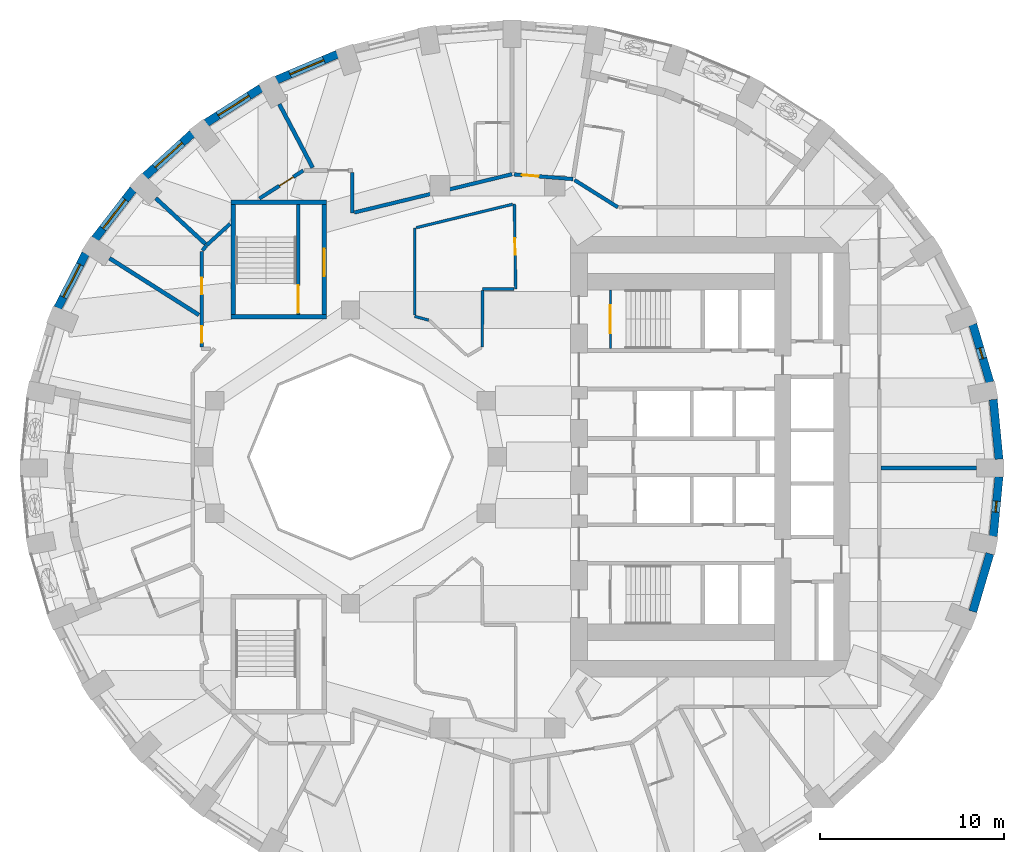
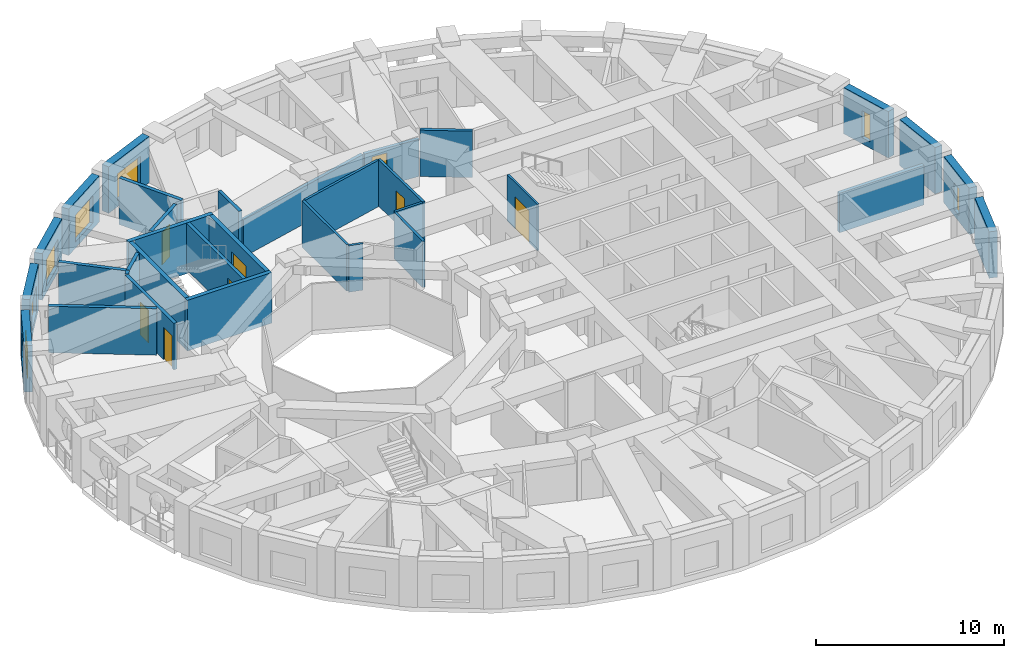
# One storey, part 7 of 12: 33 walls, 8 doors, 7 windows, 15 openings.
"""IFC4 building model written with IfcOpenShell, lengths in metres."""

from ifc_helpers import new_model, si_unit, direction, frame, frame_2d, origin, place, context, subcontext, project, spatial, rectangle, extrude, material, layer, layer_set, type_object, element, fill, save


model = new_model("IFC4")

# Units and contexts
model_context = context("Model", 3, precision=1e-05, world=origin(), true_north=direction((0.0, 1.0)))
body_context = subcontext(model_context, "Body", "Model", "MODEL_VIEW")
ifc_project = project(units=[si_unit("LENGTHUNIT", "METRE"), si_unit("AREAUNIT", "SQUARE_METRE"), si_unit("VOLUMEUNIT", "CUBIC_METRE"), si_unit("PLANEANGLEUNIT", "RADIAN"), si_unit("MASSUNIT", "GRAM", prefix="KILO")], contexts=[model_context])

# Site, building, storey
site_placement = place(None, origin())
site = spatial("IfcSite", under=ifc_project, at=site_placement, CompositionType="ELEMENT")
building_placement = place(site_placement, origin())
building = spatial("IfcBuilding", under=site, at=building_placement, Name="Taillehof Tower", CompositionType="ELEMENT")
storey_placement = place(building_placement, frame((0.0, 0.0, 105.39990234375)))
storey = spatial("IfcBuildingStorey", under=building, at=storey_placement, Name="L29", CompositionType="ELEMENT", Elevation=105.39990234375)

# Wall
ifc_material_1 = material(Name="Brick masonry", Category="masonry")
ifc_layer_1 = layer(ifc_material_1, 0.449951171875)
ifc_layer_set_1 = layer_set([ifc_layer_1], Name="Brick infill wall 450")
wall_type_1 = type_object("IfcWallType", Name="Brick infill wall 450", PredefinedType="SOLIDWALL", material=ifc_layer_set_1)
wall_1_placement = place(storey_placement, frame((27.32763671875, -0.119873046875, 0.0), z_axis=(0.0, 0.0, 1.0), x_axis=(-0.09589355735, 0.995391594127, 0.0)))
element("IfcWall", 1, at=wall_1_placement, inside=storey, type_object=wall_type_1, Name="Brick wall L29 bay 1", PredefinedType="SOLIDWALL", context=body_context, shape_type="SweptSolid", body=[
    extrude(rectangle(XDim=3.261474609375, YDim=0.449951171875, at=frame_2d((1.630859375, 0.0))), origin(), (0.0, 0.0, 1.0), 3.02001953125),
])

# Wall, opening, window
wall_2_placement = place(storey_placement, frame((26.83203125, 4.069091796875, 0.0), z_axis=(0.0, 0.0, 1.0), x_axis=(-0.283002902729, 0.959119052593, 0.0)))
wall_2 = element("IfcWall", 2, at=wall_2_placement, inside=storey, type_object=wall_type_1, Name="Brick wall L29 bay 2", PredefinedType="SOLIDWALL", context=body_context, shape_type="SweptSolid", body=[
    extrude(rectangle(XDim=3.285888671875, YDim=0.449951171875, at=frame_2d((1.64306640625, 0.0))), origin(), (0.0, 0.0, 1.0), 3.02001953125),
])
opening_1_placement = place(wall_2_placement, frame((1.343017578125, 0.0, 0.39990234375)))
opening_1 = element("IfcOpeningElement", 3, at=opening_1_placement, cuts=wall_2, Name="Opening W6", PredefinedType="OPENING", context=body_context, shape_type="SweptSolid", body=[
    extrude(rectangle(XDim=0.60009765625, YDim=1.75, at=frame_2d((0.300048828125, 0.875))), frame((0.0, 0.23486328125, 0.0), z_axis=(0.0, -1.0, 0.0), x_axis=(1.0, 0.0, 0.0)), (0.0, 0.0, 1.0), 0.469970703125),
])
ifc_material_2 = material(Name="Aluminium window frame with clear double glazing", Category="aluminium")
window_type_1 = type_object("IfcWindowType", Name="Slot window 600x1750", PartitioningType="SINGLE_PANEL", PredefinedType="WINDOW", material=ifc_material_2)
window_1_placement = place(opening_1_placement, origin())
window_1 = element("IfcWindow", 4, at=window_1_placement, inside=storey, type_object=window_type_1, Name="W6", OverallHeight=1.75, OverallWidth=0.60009765625, PartitioningType="SINGLE_PANEL", PredefinedType="WINDOW", context=body_context, shape_type="SweptSolid", body=[
    extrude(rectangle(XDim=0.60009765625, YDim=1.75, at=frame_2d((0.300048828125, 0.875))), frame((0.0, 0.034912109375, 0.0), z_axis=(0.0, -1.0, 0.0), x_axis=(1.0, 0.0, 0.0)), (0.0, 0.0, 1.0), 0.06005859375),
])
fill(opening_1, window_1)

wall_3_placement = place(storey_placement, frame((-8.718017578125, 21.93359375, 0.0), z_axis=(0.0, 0.0, 1.0), x_axis=(-0.920879975612, -0.389846213932, 0.0)))
wall_3 = element("IfcWall", 5, at=wall_3_placement, inside=storey, type_object=wall_type_1, Name="Brick wall L29 bay 12", PredefinedType="SOLIDWALL", context=body_context, shape_type="SweptSolid", body=[
    extrude(rectangle(XDim=3.591552734375, YDim=0.449951171875, at=frame_2d((1.7958984375, 0.0))), origin(), (0.0, 0.0, 1.0), 3.02001953125),
])
opening_2_placement = place(wall_3_placement, frame((0.795654296875, 0.0, 0.39990234375)))
opening_2 = element("IfcOpeningElement", 6, at=opening_2_placement, cuts=wall_3, Name="Opening W2", PredefinedType="OPENING", context=body_context, shape_type="SweptSolid", body=[
    extrude(rectangle(XDim=2.0, YDim=1.75, at=frame_2d((1.0, 0.875))), frame((0.0, 0.23486328125, 0.0), z_axis=(0.0, -1.0, 0.0), x_axis=(1.0, 0.0, 0.0)), (0.0, 0.0, 1.0), 0.469970703125),
])
ifc_material_3 = material(Name="Aluminium window frame with clear double glazing", Category="aluminium")
window_type_2 = type_object("IfcWindowType", Name="Deep-set window 2000x1750", PartitioningType="SINGLE_PANEL", PredefinedType="WINDOW", material=ifc_material_3)
window_2_placement = place(opening_2_placement, origin())
window_2 = element("IfcWindow", 7, at=window_2_placement, inside=storey, type_object=window_type_2, Name="W2", OverallHeight=1.75, OverallWidth=2.0, PartitioningType="SINGLE_PANEL", PredefinedType="WINDOW", context=body_context, shape_type="SweptSolid", body=[
    extrude(rectangle(XDim=2.0, YDim=1.75, at=frame_2d((1.0, 0.875))), frame((0.0, 0.034912109375, 0.0), z_axis=(0.0, -1.0, 0.0), x_axis=(1.0, 0.0, 0.0)), (0.0, 0.0, 1.0), 0.06005859375),
])
fill(opening_2, window_2)

wall_4_placement = place(storey_placement, frame((-12.87548828125, 20.087158203125, 0.0), z_axis=(0.0, 0.0, 1.0), x_axis=(-0.843860651879, -0.536562391722, 0.0)))
wall_4 = element("IfcWall", 8, at=wall_4_placement, inside=storey, type_object=wall_type_1, Name="Brick wall L29 bay 13", PredefinedType="SOLIDWALL", context=body_context, shape_type="SweptSolid", body=[
    extrude(rectangle(XDim=3.5322265625, YDim=0.449951171875, at=frame_2d((1.76611328125, 0.0))), origin(), (0.0, 0.0, 1.0), 3.02001953125),
])
opening_3_placement = place(wall_4_placement, frame((0.76611328125, 0.0, 0.39990234375)))
opening_3 = element("IfcOpeningElement", 9, at=opening_3_placement, cuts=wall_4, Name="Opening W2", PredefinedType="OPENING", context=body_context, shape_type="SweptSolid", body=[
    extrude(rectangle(XDim=2.0, YDim=1.75, at=frame_2d((1.0, 0.875))), frame((0.0, 0.23486328125, 0.0), z_axis=(0.0, -1.0, 0.0), x_axis=(1.0, 0.0, 0.0)), (0.0, 0.0, 1.0), 0.469970703125),
])
window_3_placement = place(opening_3_placement, origin())
window_3 = element("IfcWindow", 10, at=window_3_placement, inside=storey, type_object=window_type_2, Name="W2", OverallHeight=1.75, OverallWidth=2.0, PartitioningType="SINGLE_PANEL", PredefinedType="WINDOW", context=body_context, shape_type="SweptSolid", body=[
    extrude(rectangle(XDim=2.0, YDim=1.75, at=frame_2d((1.0, 0.875))), frame((0.0, 0.034912109375, 0.0), z_axis=(0.0, -1.0, 0.0), x_axis=(1.0, 0.0, 0.0)), (0.0, 0.0, 1.0), 0.06005859375),
])
fill(opening_3, window_3)

wall_5_placement = place(storey_placement, frame((-16.61962890625, 17.609619140625, 0.0), z_axis=(0.0, 0.0, 1.0), x_axis=(-0.74032902847, -0.672244694739, 0.0)))
wall_5 = element("IfcWall", 11, at=wall_5_placement, inside=storey, type_object=wall_type_1, Name="Brick wall L29 bay 14", PredefinedType="SOLIDWALL", context=body_context, shape_type="SweptSolid", body=[
    extrude(rectangle(XDim=3.4638671875, YDim=0.449951171875, at=frame_2d((1.73193359375, 0.0))), origin(), (0.0, 0.0, 1.0), 3.02001953125),
])
opening_4_placement = place(wall_5_placement, frame((0.73193359375, 0.0, 0.39990234375)))
opening_4 = element("IfcOpeningElement", 12, at=opening_4_placement, cuts=wall_5, Name="Opening W2", PredefinedType="OPENING", context=body_context, shape_type="SweptSolid", body=[
    extrude(rectangle(XDim=2.0, YDim=1.75, at=frame_2d((1.0, 0.875))), frame((0.0, 0.23486328125, 0.0), z_axis=(0.0, -1.0, 0.0), x_axis=(1.0, 0.0, 0.0)), (0.0, 0.0, 1.0), 0.469970703125),
])
window_4_placement = place(opening_4_placement, origin())
window_4 = element("IfcWindow", 13, at=window_4_placement, inside=storey, type_object=window_type_2, Name="W2", OverallHeight=1.75, OverallWidth=2.0, PartitioningType="SINGLE_PANEL", PredefinedType="WINDOW", context=body_context, shape_type="SweptSolid", body=[
    extrude(rectangle(XDim=2.0, YDim=1.75, at=frame_2d((1.0, 0.875))), frame((0.0, 0.034912109375, 0.0), z_axis=(0.0, -1.0, 0.0), x_axis=(1.0, 0.0, 0.0)), (0.0, 0.0, 1.0), 0.06005859375),
])
fill(opening_4, window_4)

wall_6_placement = place(storey_placement, frame((-19.835205078125, 14.575439453125, 0.0), z_axis=(0.0, 0.0, 1.0), x_axis=(-0.610693945156, -0.791866721961, 0.0)))
wall_6 = element("IfcWall", 14, at=wall_6_placement, inside=storey, type_object=wall_type_1, Name="Brick wall L29 bay 15", PredefinedType="SOLIDWALL", context=body_context, shape_type="SweptSolid", body=[
    extrude(rectangle(XDim=3.39453125, YDim=0.449951171875, at=frame_2d((1.697265625, 0.0))), origin(), (0.0, 0.0, 1.0), 3.02001953125),
])
opening_5_placement = place(wall_6_placement, frame((0.697265625, 0.0, 0.39990234375)))
opening_5 = element("IfcOpeningElement", 15, at=opening_5_placement, cuts=wall_6, Name="Opening W2", PredefinedType="OPENING", context=body_context, shape_type="SweptSolid", body=[
    extrude(rectangle(XDim=2.0, YDim=1.75, at=frame_2d((1.0, 0.875))), frame((0.0, 0.23486328125, 0.0), z_axis=(0.0, -1.0, 0.0), x_axis=(1.0, 0.0, 0.0)), (0.0, 0.0, 1.0), 0.469970703125),
])
window_5_placement = place(opening_5_placement, origin())
window_5 = element("IfcWindow", 16, at=window_5_placement, inside=storey, type_object=window_type_2, Name="W2", OverallHeight=1.75, OverallWidth=2.0, PartitioningType="SINGLE_PANEL", PredefinedType="WINDOW", context=body_context, shape_type="SweptSolid", body=[
    extrude(rectangle(XDim=2.0, YDim=1.75, at=frame_2d((1.0, 0.875))), frame((0.0, 0.034912109375, 0.0), z_axis=(0.0, -1.0, 0.0), x_axis=(1.0, 0.0, 0.0)), (0.0, 0.0, 1.0), 0.06005859375),
])
fill(opening_5, window_5)

wall_7_placement = place(storey_placement, frame((-22.4228515625, 11.076904296875, 0.0), z_axis=(0.0, 0.0, 1.0), x_axis=(-0.456828186229, -0.889554949549, 0.0)))
wall_7 = element("IfcWall", 17, at=wall_7_placement, inside=storey, type_object=wall_type_1, Name="Brick wall L29 bay 16", PredefinedType="SOLIDWALL", context=body_context, shape_type="SweptSolid", body=[
    extrude(rectangle(XDim=3.332763671875, YDim=0.449951171875, at=frame_2d((1.66650390625, 0.0))), origin(), (0.0, 0.0, 1.0), 3.02001953125),
])
opening_6_placement = place(wall_7_placement, frame((0.666259765625, 0.0, 0.39990234375)))
opening_6 = element("IfcOpeningElement", 18, at=opening_6_placement, cuts=wall_7, Name="Opening W2", PredefinedType="OPENING", context=body_context, shape_type="SweptSolid", body=[
    extrude(rectangle(XDim=2.0, YDim=1.75, at=frame_2d((1.0, 0.875))), frame((0.0, 0.23486328125, 0.0), z_axis=(0.0, -1.0, 0.0), x_axis=(1.0, 0.0, 0.0)), (0.0, 0.0, 1.0), 0.469970703125),
])
window_6_placement = place(opening_6_placement, origin())
window_6 = element("IfcWindow", 19, at=window_6_placement, inside=storey, type_object=window_type_2, Name="W2", OverallHeight=1.75, OverallWidth=2.0, PartitioningType="SINGLE_PANEL", PredefinedType="WINDOW", context=body_context, shape_type="SweptSolid", body=[
    extrude(rectangle(XDim=2.0, YDim=1.75, at=frame_2d((1.0, 0.875))), frame((0.0, 0.034912109375, 0.0), z_axis=(0.0, -1.0, 0.0), x_axis=(1.0, 0.0, 0.0)), (0.0, 0.0, 1.0), 0.06005859375),
])
fill(opening_6, window_6)

# Wall
wall_8_placement = place(storey_placement, frame((25.902099609375, -8.4208984375, 0.0), z_axis=(0.0, 0.0, 1.0), x_axis=(0.282982737009, 0.95912500257, 0.0)))
element("IfcWall", 20, at=wall_8_placement, inside=storey, type_object=wall_type_1, Name="Brick wall L29 bay 35", PredefinedType="SOLIDWALL", context=body_context, shape_type="SweptSolid", body=[
    extrude(rectangle(XDim=3.2861328125, YDim=0.449951171875, at=frame_2d((1.64306640625, 0.0))), origin(), (0.0, 0.0, 1.0), 3.02001953125),
])

# Wall, opening, window
wall_9_placement = place(storey_placement, frame((27.014892578125, -4.326416015625, 0.0), z_axis=(0.0, 0.0, 1.0), x_axis=(0.09589355735, 0.995391594127, 0.0)))
wall_9 = element("IfcWall", 21, at=wall_9_placement, inside=storey, type_object=wall_type_1, Name="Brick wall L29 bay 36", PredefinedType="SOLIDWALL", context=body_context, shape_type="SweptSolid", body=[
    extrude(rectangle(XDim=3.261474609375, YDim=0.449951171875, at=frame_2d((1.630859375, 0.0))), origin(), (0.0, 0.0, 1.0), 3.02001953125),
])
opening_7_placement = place(wall_9_placement, frame((1.33056640625, 0.0, 0.39990234375)))
opening_7 = element("IfcOpeningElement", 22, at=opening_7_placement, cuts=wall_9, Name="Opening W6", PredefinedType="OPENING", context=body_context, shape_type="SweptSolid", body=[
    extrude(rectangle(XDim=0.60009765625, YDim=1.75, at=frame_2d((0.300048828125, 0.875))), frame((0.0, 0.23486328125, 0.0), z_axis=(0.0, -1.0, 0.0), x_axis=(1.0, 0.0, 0.0)), (0.0, 0.0, 1.0), 0.469970703125),
])
window_7_placement = place(opening_7_placement, origin())
window_7 = element("IfcWindow", 23, at=window_7_placement, inside=storey, type_object=window_type_1, Name="W6", OverallHeight=1.75, OverallWidth=0.60009765625, PartitioningType="SINGLE_PANEL", PredefinedType="WINDOW", context=body_context, shape_type="SweptSolid", body=[
    extrude(rectangle(XDim=0.60009765625, YDim=1.75, at=frame_2d((0.300048828125, 0.875))), frame((0.0, 0.034912109375, 0.0), z_axis=(0.0, -1.0, 0.0), x_axis=(1.0, 0.0, 0.0)), (0.0, 0.0, 1.0), 0.06005859375),
])
fill(opening_7, window_7)

# Wall, openings, doors
ifc_material_4 = material(Name="Gypsum board on steel studs, two layers each side", Category="steel")
ifc_layer_2 = layer(ifc_material_4, 0.199951171875)
ifc_layer_set_2 = layer_set([ifc_layer_2], Name="Compartment wall corridor 200")
wall_type_2 = type_object("IfcWallType", Name="Compartment wall corridor 200", PredefinedType="PARTITIONING", material=ifc_layer_set_2)
wall_10_placement = place(storey_placement, frame((-16.10009765625, 6.0, 0.0), z_axis=(0.0, 0.0, 1.0), x_axis=(0.0, 1.0, 0.0)))
wall_10 = element("IfcWall", 24, at=wall_10_placement, inside=storey, type_object=wall_type_2, Name="Compartment wall", PredefinedType="PARTITIONING", context=body_context, shape_type="SweptSolid", body=[
    extrude(rectangle(XDim=5.192138671875, YDim=0.199951171875, at=frame_2d((2.59619140625, 0.0))), origin(), (0.0, 0.0, 1.0), 3.02001953125),
])
opening_8_placement = place(wall_10_placement, frame((2.856689453125, 0.0, 0.0)))
opening_8 = element("IfcOpeningElement", 25, at=opening_8_placement, cuts=wall_10, Name="Opening D2946", PredefinedType="OPENING", context=body_context, shape_type="SweptSolid", body=[
    extrude(rectangle(XDim=0.89990234375, YDim=2.10009765625, at=frame_2d((0.449951171875, 1.050048828125))), frame((0.0, 0.10986328125, 0.0), z_axis=(0.0, -1.0, 0.0), x_axis=(1.0, 0.0, 0.0)), (0.0, 0.0, 1.0), 0.219970703125),
])
opening_9_placement = place(wall_10_placement, frame((0.219970703125, 0.0, 0.0)))
opening_9 = element("IfcOpeningElement", 26, at=opening_9_placement, cuts=wall_10, Name="Opening D2947", PredefinedType="OPENING", context=body_context, shape_type="SweptSolid", body=[
    extrude(rectangle(XDim=0.89990234375, YDim=2.10009765625, at=frame_2d((0.449951171875, 1.050048828125))), frame((0.0, 0.10986328125, 0.0), z_axis=(0.0, -1.0, 0.0), x_axis=(1.0, 0.0, 0.0)), (0.0, 0.0, 1.0), 0.219970703125),
])
ifc_material_5 = material(Name="Timber door leaf in steel frame", Category="steel")
door_type_1 = type_object("IfcDoorType", Name="Service room door EI 30 900 x 2100", OperationType="SINGLE_SWING_LEFT", PredefinedType="DOOR", material=ifc_material_5)
door_1_placement = place(opening_8_placement, origin())
door_1 = element("IfcDoor", 27, at=door_1_placement, inside=storey, type_object=door_type_1, Name="D2946", OperationType="SINGLE_SWING_LEFT", OverallHeight=2.10009765625, OverallWidth=0.89990234375, PredefinedType="DOOR", context=body_context, shape_type="SweptSolid", body=[
    extrude(rectangle(XDim=0.89990234375, YDim=2.10009765625, at=frame_2d((0.449951171875, 1.050048828125))), frame((0.0, 0.02490234375, 0.0), z_axis=(0.0, -1.0, 0.0), x_axis=(1.0, 0.0, 0.0)), (0.0, 0.0, 1.0), 0.050048828125),
])
fill(opening_8, door_1)
door_2_placement = place(opening_9_placement, origin())
door_2 = element("IfcDoor", 28, at=door_2_placement, inside=storey, type_object=door_type_1, Name="D2947", OperationType="SINGLE_SWING_RIGHT", OverallHeight=2.10009765625, OverallWidth=0.89990234375, PredefinedType="DOOR", context=body_context, shape_type="SweptSolid", body=[
    extrude(rectangle(XDim=0.89990234375, YDim=2.10009765625, at=frame_2d((0.449951171875, 1.050048828125))), frame((0.0, 0.02490234375, 0.0), z_axis=(0.0, -1.0, 0.0), x_axis=(1.0, 0.0, 0.0)), (0.0, 0.0, 1.0), 0.050048828125),
])
fill(opening_9, door_2)

# Walls
wall_11_placement = place(storey_placement, frame((-16.0634765625, 11.23974609375, 0.0), z_axis=(0.0, 0.0, 1.0), x_axis=(0.609744747854, 0.792597844096, 0.0)))
element("IfcWall", 29, at=wall_11_placement, inside=storey, type_object=wall_type_2, Name="Compartment wall", PredefinedType="PARTITIONING", context=body_context, shape_type="SweptSolid", body=[
    extrude(rectangle(XDim=0.34716796875, YDim=0.199951171875, at=frame_2d((0.173583984375, 0.0))), origin(), (0.0, 0.0, 1.0), 3.02001953125),
])
wall_12_placement = place(storey_placement, frame((-15.8369140625, 11.5283203125, 0.0), z_axis=(0.0, 0.0, 1.0), x_axis=(0.739402681643, 0.673263450946, 0.0)))
element("IfcWall", 30, at=wall_12_placement, inside=storey, type_object=wall_type_2, Name="Compartment wall", PredefinedType="PARTITIONING", context=body_context, shape_type="SweptSolid", body=[
    extrude(rectangle(XDim=1.7275390625, YDim=0.199951171875, at=frame_2d((0.86376953125, 0.0))), origin(), (0.0, 0.0, 1.0), 3.02001953125),
])

# Wall, opening, door
wall_13_placement = place(storey_placement, frame((-12.957275390625, 14.0771484375, 0.0), z_axis=(0.0, 0.0, 1.0), x_axis=(0.84319985174, 0.537600232538, 0.0)))
wall_13 = element("IfcWall", 31, at=wall_13_placement, inside=storey, type_object=wall_type_2, Name="Compartment wall", PredefinedType="PARTITIONING", context=body_context, shape_type="SweptSolid", body=[
    extrude(rectangle(XDim=2.832763671875, YDim=0.199951171875, at=frame_2d((1.41650390625, 0.0))), origin(), (0.0, 0.0, 1.0), 3.02001953125),
])
opening_10_placement = place(wall_13_placement, frame((1.286376953125, 0.0, 0.0)))
opening_10 = element("IfcOpeningElement", 32, at=opening_10_placement, cuts=wall_13, Name="Opening D2945", PredefinedType="OPENING", context=body_context, shape_type="SweptSolid", body=[
    extrude(rectangle(XDim=0.89990234375, YDim=2.10009765625, at=frame_2d((0.449951171875, 1.050048828125))), frame((0.0, 0.10986328125, 0.0), z_axis=(0.0, -1.0, 0.0), x_axis=(1.0, 0.0, 0.0)), (0.0, 0.0, 1.0), 0.219970703125),
])
door_3_placement = place(opening_10_placement, origin())
door_3 = element("IfcDoor", 33, at=door_3_placement, inside=storey, type_object=door_type_1, Name="D2945", OperationType="SINGLE_SWING_RIGHT", OverallHeight=2.10009765625, OverallWidth=0.89990234375, PredefinedType="DOOR", context=body_context, shape_type="SweptSolid", body=[
    extrude(rectangle(XDim=0.89990234375, YDim=2.10009765625, at=frame_2d((0.449951171875, 1.050048828125))), frame((0.0, 0.02490234375, 0.0), z_axis=(0.0, -1.0, 0.0), x_axis=(1.0, 0.0, 0.0)), (0.0, 0.0, 1.0), 0.050048828125),
])
fill(opening_10, door_3)

# Walls
wall_14_placement = place(storey_placement, frame((-7.89990234375, 15.5, 0.0), z_axis=(0.0, 0.0, 1.0), x_axis=(0.0, -1.0, 0.0)))
element("IfcWall", 34, at=wall_14_placement, inside=storey, type_object=wall_type_2, Name="Compartment wall", PredefinedType="PARTITIONING", context=body_context, shape_type="SweptSolid", body=[
    extrude(rectangle(XDim=2.212158203125, YDim=0.199951171875, at=frame_2d((1.10595703125, 0.0))), origin(), (0.0, 0.0, 1.0), 3.02001953125),
])
wall_15_placement = place(storey_placement, frame((-7.78271484375, 13.315673828125, 0.0), z_axis=(0.0, 0.0, 1.0), x_axis=(0.971757778997, 0.23598054784, 0.0)))
element("IfcWall", 35, at=wall_15_placement, inside=storey, type_object=wall_type_2, Name="Compartment wall", PredefinedType="PARTITIONING", context=body_context, shape_type="SweptSolid", body=[
    extrude(rectangle(XDim=8.832275390625, YDim=0.199951171875, at=frame_2d((4.416015625, 0.0))), origin(), (0.0, 0.0, 1.0), 2.420166015625),
])

# Wall, opening, door
wall_16_placement = place(storey_placement, frame((0.920166015625, 15.39013671875, 0.0), z_axis=(0.0, 0.0, 1.0), x_axis=(0.996853106713, -0.07927095077, 0.0)))
wall_16 = element("IfcWall", 36, at=wall_16_placement, inside=storey, type_object=wall_type_2, Name="Compartment wall", PredefinedType="PARTITIONING", context=body_context, shape_type="SweptSolid", body=[
    extrude(rectangle(XDim=3.212158203125, YDim=0.199951171875, at=frame_2d((1.60595703125, 0.0))), origin(), (0.0, 0.0, 1.0), 2.420166015625),
])
opening_11_placement = place(wall_16_placement, frame((0.426513671875, 0.0, 0.0)))
opening_11 = element("IfcOpeningElement", 37, at=opening_11_placement, cuts=wall_16, Name="Opening D2942", PredefinedType="OPENING", context=body_context, shape_type="SweptSolid", body=[
    extrude(rectangle(XDim=0.89990234375, YDim=2.10009765625, at=frame_2d((0.449951171875, 1.050048828125))), frame((0.0, 0.10986328125, 0.0), z_axis=(0.0, -1.0, 0.0), x_axis=(1.0, 0.0, 0.0)), (0.0, 0.0, 1.0), 0.219970703125),
])
door_4_placement = place(opening_11_placement, origin())
door_4 = element("IfcDoor", 38, at=door_4_placement, inside=storey, type_object=door_type_1, Name="D2942", OperationType="SINGLE_SWING_LEFT", OverallHeight=2.10009765625, OverallWidth=0.89990234375, PredefinedType="DOOR", context=body_context, shape_type="SweptSolid", body=[
    extrude(rectangle(XDim=0.89990234375, YDim=2.10009765625, at=frame_2d((0.449951171875, 1.050048828125))), frame((0.0, 0.02490234375, 0.0), z_axis=(0.0, -1.0, 0.0), x_axis=(1.0, 0.0, 0.0)), (0.0, 0.0, 1.0), 0.050048828125),
])
fill(opening_11, door_4)

# Walls
wall_17_placement = place(storey_placement, frame((4.20654296875, 15.081787109375, 0.0), z_axis=(0.0, 0.0, 1.0), x_axis=(0.847002804919, -0.531588420171, 0.0)))
element("IfcWall", 39, at=wall_17_placement, inside=storey, type_object=wall_type_2, Name="Compartment wall", PredefinedType="PARTITIONING", context=body_context, shape_type="SweptSolid", body=[
    extrude(rectangle(XDim=2.787353515625, YDim=0.199951171875, at=frame_2d((1.3935546875, 0.0))), origin(), (0.0, 0.0, 1.0), 3.02001953125),
])
ifc_material_6 = material(Name="Gypsum board on double steel studs with mineral wool", Category="steel")
ifc_layer_3 = layer(ifc_material_6, 0.219970703125)
ifc_layer_set_3 = layer_set([ifc_layer_3], Name="Compartment wall guest room 220")
wall_type_3 = type_object("IfcWallType", Name="Compartment wall guest room 220", PredefinedType="PARTITIONING", material=ifc_layer_set_3)
wall_18_placement = place(storey_placement, frame((26.10009765625, -0.60009765625, 0.0), z_axis=(0.0, 0.0, 1.0), x_axis=(-1.0, 0.0, 0.0)))
element("IfcWall", 40, at=wall_18_placement, inside=storey, type_object=wall_type_3, Name="Compartment wall", PredefinedType="PARTITIONING", context=body_context, shape_type="SweptSolid", body=[
    extrude(rectangle(XDim=5.199951171875, YDim=0.219970703125, at=frame_2d((2.60009765625, 0.0))), origin(), (0.0, 0.0, 1.0), 2.570068359375),
])
wall_19_placement = place(storey_placement, frame((-11.8759765625, 19.217529296875, 0.0), z_axis=(0.0, 0.0, 1.0), x_axis=(0.465386433174, -0.885107602395, 0.0)))
element("IfcWall", 41, at=wall_19_placement, inside=storey, type_object=wall_type_3, Name="Compartment wall", PredefinedType="PARTITIONING", context=body_context, shape_type="SweptSolid", body=[
    extrude(rectangle(XDim=3.91357421875, YDim=0.219970703125, at=frame_2d((1.956787109375, 0.0))), origin(), (0.0, 0.0, 1.0), 3.02001953125),
])
wall_20_placement = place(storey_placement, frame((-18.60400390625, 14.09375, 0.0), z_axis=(0.0, 0.0, 1.0), x_axis=(0.73529495628, -0.677747244383, 0.0)))
element("IfcWall", 42, at=wall_20_placement, inside=storey, type_object=wall_type_3, Name="Compartment wall", PredefinedType="PARTITIONING", context=body_context, shape_type="SweptSolid", body=[
    extrude(rectangle(XDim=3.673828125, YDim=0.219970703125, at=frame_2d((1.8369140625, 0.0))), origin(), (0.0, 0.0, 1.0), 3.02001953125),
])
wall_21_placement = place(storey_placement, frame((-21.12646484375, 10.8232421875, 0.0), z_axis=(0.0, 0.0, 1.0), x_axis=(0.844518840625, -0.535525842355, 0.0)))
element("IfcWall", 43, at=wall_21_placement, inside=storey, type_object=wall_type_3, Name="Compartment wall", PredefinedType="PARTITIONING", context=body_context, shape_type="SweptSolid", body=[
    extrude(rectangle(XDim=5.7734375, YDim=0.219970703125, at=frame_2d((2.88671875, 0.0))), origin(), (0.0, 0.0, 1.0), 3.02001953125),
])

# Wall, opening, door
ifc_material_7 = material(Name="Gypsum board on steel studs, two layers each side", Category="steel")
ifc_layer_4 = layer(ifc_material_7, 0.14990234375)
ifc_layer_set_4 = layer_set([ifc_layer_4], Name="Compartment wall service room 150")
wall_type_4 = type_object("IfcWallType", Name="Compartment wall service room 150", PredefinedType="PARTITIONING", material=ifc_layer_set_4)
wall_22_placement = place(storey_placement, frame((0.928466796875, 13.78466796875, 0.0), z_axis=(0.0, 0.0, 1.0), x_axis=(0.015432211783, -0.999880916329, 0.0)))
wall_22 = element("IfcWall", 44, at=wall_22_placement, inside=storey, type_object=wall_type_4, Name="Compartment wall", PredefinedType="PARTITIONING", context=body_context, shape_type="SweptSolid", body=[
    extrude(rectangle(XDim=4.63525390625, YDim=0.14990234375, at=frame_2d((2.317626953125, 0.0))), origin(), (0.0, 0.0, 1.0), 3.02001953125),
])
opening_12_placement = place(wall_22_placement, frame((1.86767578125, 0.0, 0.0)))
opening_12 = element("IfcOpeningElement", 45, at=opening_12_placement, cuts=wall_22, Name="Opening D2965", PredefinedType="OPENING", context=body_context, shape_type="SweptSolid", body=[
    extrude(rectangle(XDim=0.89990234375, YDim=2.10009765625, at=frame_2d((0.449951171875, 1.050048828125))), frame((0.0, 0.0849609375, 0.0), z_axis=(0.0, -1.0, 0.0), x_axis=(1.0, 0.0, 0.0)), (0.0, 0.0, 1.0), 0.169921875),
])
door_5_placement = place(opening_12_placement, origin())
door_5 = element("IfcDoor", 46, at=door_5_placement, inside=storey, type_object=door_type_1, Name="D2965", OperationType="SINGLE_SWING_LEFT", OverallHeight=2.10009765625, OverallWidth=0.89990234375, PredefinedType="DOOR", context=body_context, shape_type="SweptSolid", body=[
    extrude(rectangle(XDim=0.89990234375, YDim=2.10009765625, at=frame_2d((0.449951171875, 1.050048828125))), frame((0.0, 0.02490234375, 0.0), z_axis=(0.0, -1.0, 0.0), x_axis=(1.0, 0.0, 0.0)), (0.0, 0.0, 1.0), 0.050048828125),
])
fill(opening_12, door_5)

# Walls
wall_23_placement = place(storey_placement, frame((0.919921875, 9.14990234375, 0.0), z_axis=(0.0, 0.0, 1.0), x_axis=(-1.0, 0.0, 0.0)))
element("IfcWall", 47, at=wall_23_placement, inside=storey, type_object=wall_type_4, Name="Compartment wall", PredefinedType="PARTITIONING", context=body_context, shape_type="SweptSolid", body=[
    extrude(rectangle(XDim=1.719970703125, YDim=0.14990234375, at=frame_2d((0.85986328125, 0.0))), origin(), (0.0, 0.0, 1.0), 3.02001953125),
])
wall_24_placement = place(storey_placement, frame((-0.801025390625, 9.06982421875, 0.0), z_axis=(0.0, 0.0, 1.0), x_axis=(-0.006879482938, -0.999976336077, 0.0)))
element("IfcWall", 48, at=wall_24_placement, inside=storey, type_object=wall_type_4, Name="Compartment wall", PredefinedType="PARTITIONING", context=body_context, shape_type="SweptSolid", body=[
    extrude(rectangle(XDim=3.08740234375, YDim=0.14990234375, at=frame_2d((1.543701171875, 0.0))), origin(), (0.0, 0.0, 1.0), 3.02001953125),
])
wall_25_placement = place(storey_placement, frame((-3.7421875, 7.451904296875, 0.0), z_axis=(0.0, 0.0, 1.0), x_axis=(-0.965903596155, 0.258901994846, 0.0)))
element("IfcWall", 49, at=wall_25_placement, inside=storey, type_object=wall_type_4, Name="Compartment wall", PredefinedType="PARTITIONING", context=body_context, shape_type="SweptSolid", body=[
    extrude(rectangle(XDim=0.78466796875, YDim=0.14990234375, at=frame_2d((0.392333984375, 0.0))), origin(), (0.0, 0.0, 1.0), 3.02001953125),
])
wall_26_placement = place(storey_placement, frame((-4.5, 7.735107421875, 0.0), z_axis=(0.0, 0.0, 1.0), x_axis=(0.0, 1.0, 0.0)))
element("IfcWall", 50, at=wall_26_placement, inside=storey, type_object=wall_type_4, Name="Compartment wall", PredefinedType="PARTITIONING", context=body_context, shape_type="SweptSolid", body=[
    extrude(rectangle(XDim=4.731689453125, YDim=0.14990234375, at=frame_2d((2.36572265625, 0.0))), origin(), (0.0, 0.0, 1.0), 3.02001953125),
])
wall_27_placement = place(storey_placement, frame((-4.421875, 12.4853515625, 0.0), z_axis=(0.0, 0.0, 1.0), x_axis=(0.971733724628, 0.236079580694, 0.0)))
element("IfcWall", 51, at=wall_27_placement, inside=storey, type_object=wall_type_4, Name="Compartment wall", PredefinedType="PARTITIONING", context=body_context, shape_type="SweptSolid", body=[
    extrude(rectangle(XDim=5.405517578125, YDim=0.14990234375, at=frame_2d((2.70263671875, 0.0))), origin(), (0.0, 0.0, 1.0), 3.02001953125),
])

# Wall, opening, door
ifc_material_8 = material(Name="Concrete C50/60", Category="concrete")
ifc_layer_5 = layer(ifc_material_8, 0.199951171875)
ifc_layer_set_5 = layer_set([ifc_layer_5], Name="Shaft wall C50/60 200")
wall_type_5 = type_object("IfcWallType", Name="Shaft wall C50/60 200", PredefinedType="SHEAR", material=ifc_layer_set_5)
wall_28_placement = place(storey_placement, frame((-10.85009765625, 7.75, 0.0), z_axis=(0.0, 0.0, 1.0), x_axis=(0.0, 1.0, 0.0)))
wall_28 = element("IfcWall", 52, at=wall_28_placement, inside=storey, type_object=wall_type_5, Name="Shaft wall SW", PredefinedType="SHEAR", context=body_context, shape_type="SweptSolid", body=[
    extrude(rectangle(XDim=6.0, YDim=0.199951171875, at=frame_2d((3.0, 0.0))), origin(), (0.0, 0.0, 1.0), 3.02001953125),
])
opening_13_placement = place(wall_28_placement, frame((0.10009765625, 0.0, 0.0)))
opening_13 = element("IfcOpeningElement", 53, at=opening_13_placement, cuts=wall_28, Name="Opening D2912", PredefinedType="OPENING", context=body_context, shape_type="SweptSolid", body=[
    extrude(rectangle(XDim=1.5, YDim=2.10009765625, at=frame_2d((0.75, 1.050048828125))), frame((0.0, 0.10986328125, 0.0), z_axis=(0.0, -1.0, 0.0), x_axis=(1.0, 0.0, 0.0)), (0.0, 0.0, 1.0), 0.219970703125),
])
ifc_material_9 = material(Name="Steel-faced fire door", Category="steel")
door_type_2 = type_object("IfcDoorType", Name="Stair door 1500x2100", OperationType="DOUBLE_DOOR_SINGLE_SWING", PredefinedType="DOOR", material=ifc_material_9)
door_6_placement = place(opening_13_placement, origin())
door_6 = element("IfcDoor", 54, at=door_6_placement, inside=storey, type_object=door_type_2, Name="Stair lobby door S3", OperationType="DOUBLE_DOOR_SINGLE_SWING", OverallHeight=2.10009765625, OverallWidth=1.5, PredefinedType="DOOR", context=body_context, shape_type="SweptSolid", body=[
    extrude(rectangle(XDim=1.5, YDim=2.10009765625, at=frame_2d((0.75, 1.050048828125))), frame((0.0, 0.02490234375, 0.0), z_axis=(0.0, -1.0, 0.0), x_axis=(1.0, 0.0, 0.0)), (0.0, 0.0, 1.0), 0.050048828125),
])
fill(opening_13, door_6)

ifc_material_10 = material(Name="Concrete C50/60", Category="concrete")
ifc_layer_6 = layer(ifc_material_10, 0.1201171875)
ifc_layer_set_6 = layer_set([ifc_layer_6], Name="Stair lobby wall C50/60 120")
wall_type_6 = type_object("IfcWallType", Name="Stair lobby wall C50/60 120", PredefinedType="SHEAR", material=ifc_layer_set_6)
wall_29_placement = place(storey_placement, frame((6.159912109375, 5.89990234375, 0.0), z_axis=(0.0, 0.0, 1.0), x_axis=(0.0, 1.0, 0.0)))
wall_29 = element("IfcWall", 55, at=wall_29_placement, inside=storey, type_object=wall_type_6, Name="Compartment wall SW", PredefinedType="SHEAR", context=body_context, shape_type="SweptSolid", body=[
    extrude(rectangle(XDim=3.2001953125, YDim=0.1201171875, at=frame_2d((1.60009765625, 0.0))), origin(), (0.0, 0.0, 1.0), 3.02001953125),
])
opening_14_placement = place(wall_29_placement, frame((0.85009765625, 0.0, 0.0)))
opening_14 = element("IfcOpeningElement", 56, at=opening_14_placement, cuts=wall_29, Name="Opening D2910", PredefinedType="OPENING", context=body_context, shape_type="SweptSolid", body=[
    extrude(rectangle(XDim=1.5, YDim=2.10009765625, at=frame_2d((0.75, 1.050048828125))), frame((0.0, 0.070068359375, 0.0), z_axis=(0.0, -1.0, 0.0), x_axis=(1.0, 0.0, 0.0)), (0.0, 0.0, 1.0), 0.14013671875),
])
door_7_placement = place(opening_14_placement, origin())
door_7 = element("IfcDoor", 57, at=door_7_placement, inside=storey, type_object=door_type_2, Name="Stair lobby door S1", OperationType="DOUBLE_DOOR_SINGLE_SWING", OverallHeight=2.10009765625, OverallWidth=1.5, PredefinedType="DOOR", context=body_context, shape_type="SweptSolid", body=[
    extrude(rectangle(XDim=1.5, YDim=2.10009765625, at=frame_2d((0.75, 1.050048828125))), frame((0.0, 0.02490234375, 0.0), z_axis=(0.0, -1.0, 0.0), x_axis=(1.0, 0.0, 0.0)), (0.0, 0.0, 1.0), 0.050048828125),
])
fill(opening_14, door_7)

# Wall
ifc_material_11 = material(Name="Concrete C50/60", Category="concrete")
ifc_layer_7 = layer(ifc_material_11, 0.25)
ifc_layer_set_7 = layer_set([ifc_layer_7], Name="Stair wall C50/60 250")
wall_type_7 = type_object("IfcWallType", Name="Stair wall C50/60 250", PredefinedType="SHEAR", material=ifc_layer_set_7)
wall_30_placement = place(storey_placement, frame((-14.375, 7.75, -0.27978515625), z_axis=(0.0, 0.0, 1.0), x_axis=(0.0, 1.0, 0.0)))
element("IfcWall", 58, at=wall_30_placement, inside=storey, type_object=wall_type_7, Name="Stair wall SC", PredefinedType="SHEAR", context=body_context, shape_type="SweptSolid", body=[
    extrude(rectangle(XDim=6.0, YDim=0.25, at=frame_2d((3.0, 0.0))), origin(), (0.0, 0.0, 1.0), 3.2998046875),
])

# Wall, opening, door
wall_31_placement = place(storey_placement, frame((-9.425048828125, 7.75, -0.27978515625), z_axis=(0.0, 0.0, 1.0), x_axis=(0.0, 1.0, 0.0)))
wall_31 = element("IfcWall", 59, at=wall_31_placement, inside=storey, type_object=wall_type_7, Name="Stair wall SC", PredefinedType="SHEAR", context=body_context, shape_type="SweptSolid", body=[
    extrude(rectangle(XDim=6.0, YDim=0.25, at=frame_2d((3.0, 0.0))), origin(), (0.0, 0.0, 1.0), 3.2998046875),
])
opening_15_placement = place(wall_31_placement, frame((2.10009765625, 0.0, 0.280029296875)))
opening_15 = element("IfcOpeningElement", 60, at=opening_15_placement, cuts=wall_31, Name="Opening D2919", PredefinedType="OPENING", context=body_context, shape_type="SweptSolid", body=[
    extrude(rectangle(XDim=1.5, YDim=2.10009765625, at=frame_2d((0.75, 1.050048828125))), frame((0.0, 0.135009765625, 0.0), z_axis=(0.0, -1.0, 0.0), x_axis=(1.0, 0.0, 0.0)), (0.0, 0.0, 1.0), 0.27001953125),
])
door_8_placement = place(opening_15_placement, origin())
door_8 = element("IfcDoor", 61, at=door_8_placement, inside=storey, type_object=door_type_2, Name="Stair door S3", OperationType="DOUBLE_DOOR_SINGLE_SWING", OverallHeight=2.10009765625, OverallWidth=1.5, PredefinedType="DOOR", context=body_context, shape_type="SweptSolid", body=[
    extrude(rectangle(XDim=1.5, YDim=2.10009765625, at=frame_2d((0.75, 1.050048828125))), frame((0.0, 0.02490234375, 0.0), z_axis=(0.0, -1.0, 0.0), x_axis=(1.0, 0.0, 0.0)), (0.0, 0.0, 1.0), 0.050048828125),
])
fill(opening_15, door_8)

# Walls
for number, where, z_axis, x_axis, name in (
    (62, (-14.5, 13.875, -0.27978515625), (0.0, 0.0, 1.0), (1.0, 0.0, 0.0), "Stair wall SC"),
    (63, (-14.5, 7.625, -0.27978515625), (0.0, 0.0, 1.0), (1.0, 0.0, 0.0), "Stair wall SC"),
):
    element("IfcWall", number, at=place(storey_placement, frame(where, z_axis=z_axis, x_axis=x_axis)), inside=storey, type_object=wall_type_7, Name=name, PredefinedType="SHEAR", context=body_context, shape_type="SweptSolid", body=[
        extrude(rectangle(XDim=5.199951171875, YDim=0.25, at=frame_2d((2.60009765625, 0.0))), origin(), (0.0, 0.0, 1.0), 3.2998046875),
    ])

save(model, "model.ifc")
